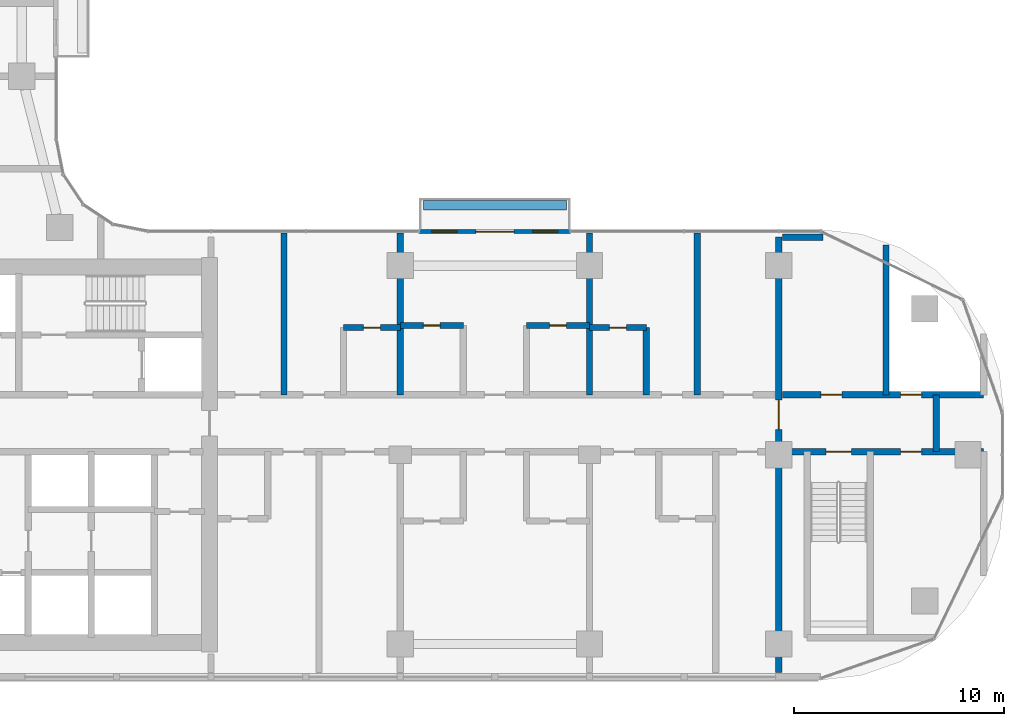
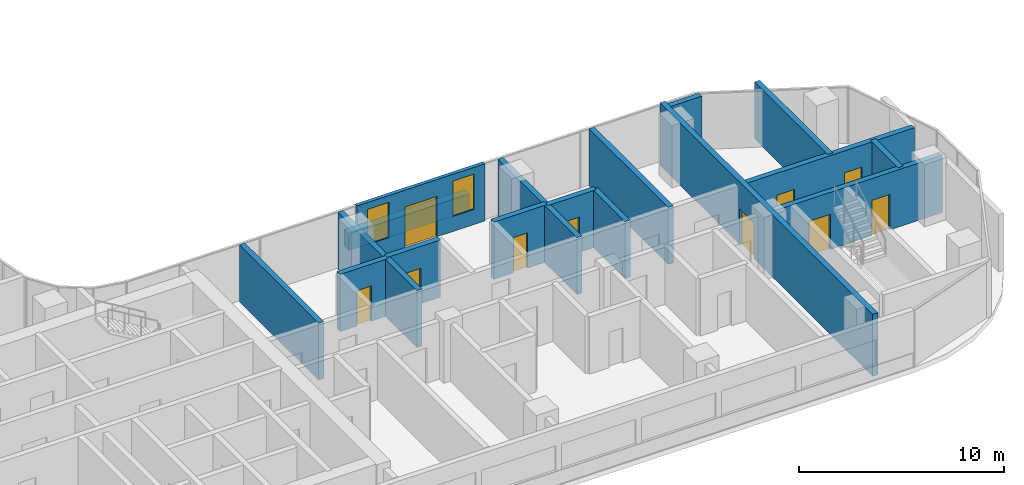
# One storey, part 12 of 23: 17 walls, 10 doors, 2 windows, 12 openings.
"""IFC4 building model written with IfcOpenShell, lengths in metres."""

from ifc_helpers import new_model, si_unit, direction, frame, frame_2d, origin, origin_2d, place, context, subcontext, project, spatial, rectangle, extrude, material, layer, layer_set, type_object, element, fill, save


model = new_model("IFC4")

# Units and contexts
model_context = context("Model", 3, precision=1e-05, world=origin(), true_north=direction((0.0, 1.0)))
body_context = subcontext(model_context, "Body", "Model", "MODEL_VIEW")
ifc_project = project(units=[si_unit("LENGTHUNIT", "METRE"), si_unit("AREAUNIT", "SQUARE_METRE"), si_unit("VOLUMEUNIT", "CUBIC_METRE"), si_unit("PLANEANGLEUNIT", "RADIAN"), si_unit("MASSUNIT", "GRAM", prefix="KILO")], contexts=[model_context])

# Site, building, storey
site_placement = place(None, origin())
site = spatial("IfcSite", under=ifc_project, at=site_placement, CompositionType="ELEMENT")
building_placement = place(site_placement, origin())
building = spatial("IfcBuilding", under=site, at=building_placement, Name="Ogive Portal Towers", CompositionType="ELEMENT")
storey_placement = place(building_placement, frame((0.0, 0.0, 127.800048828125)))
storey = spatial("IfcBuildingStorey", under=building, at=storey_placement, Name="L31", CompositionType="ELEMENT", Elevation=127.800048828125)

# Wall, openings, door, windows
ifc_material_1 = material(Name="Limestone cladding on lightweight block wall", Category="masonry")
ifc_layer_1 = layer(ifc_material_1, 0.199951171875)
ifc_layer_set_1 = layer_set([ifc_layer_1], Name="BALCONY BAY WALL 200")
wall_type_1 = type_object("IfcWallType", Name="BALCONY BAY WALL 200", PredefinedType="SOLIDWALL", material=ifc_layer_set_1)
wall_1_placement = place(storey_placement, frame((68.39990234375, 41.114990234375, 0.0), z_axis=(0.0, 0.0, 1.0), x_axis=(1.0, 0.0, 0.0)))
wall_1 = element("IfcWall", 1, at=wall_1_placement, inside=storey, type_object=wall_type_1, Name="A:L31:f13:bay0", PredefinedType="SOLIDWALL", context=body_context, shape_type="SweptSolid", body=[
    extrude(rectangle(XDim=7.2001953125, YDim=0.199951171875, at=frame_2d((3.60009765625, 0.0))), origin(), (0.0, 0.0, 1.0), 3.39990234375),
])
opening_1_placement = place(wall_1_placement, frame((2.699951171875, 0.0, 0.0)))
opening_1 = element("IfcOpeningElement", 2, at=opening_1_placement, cuts=wall_1, Name="Opening DX037", PredefinedType="OPENING", context=body_context, shape_type="SweptSolid", body=[
    extrude(rectangle(XDim=1.800048828125, YDim=2.39990234375, at=frame_2d((0.89990234375, 1.199951171875))), frame((0.0, 0.10986328125, 0.0), z_axis=(0.0, -1.0, 0.0), x_axis=(1.0, 0.0, 0.0)), (0.0, 0.0, 1.0), 0.219970703125),
])
opening_2_placement = place(wall_1_placement, frame((5.39990234375, 0.0, 0.89990234375)))
opening_2 = element("IfcOpeningElement", 3, at=opening_2_placement, cuts=wall_1, Name="Opening WN2", PredefinedType="OPENING", context=body_context, shape_type="SweptSolid", body=[
    extrude(rectangle(XDim=1.199951171875, YDim=2.10009765625, at=frame_2d((0.60009765625, 1.050048828125))), frame((0.0, 0.10986328125, 0.0), z_axis=(0.0, -1.0, 0.0), x_axis=(1.0, 0.0, 0.0)), (0.0, 0.0, 1.0), 0.219970703125),
])
opening_3_placement = place(wall_1_placement, frame((0.60009765625, 0.0, 0.89990234375)))
opening_3 = element("IfcOpeningElement", 4, at=opening_3_placement, cuts=wall_1, Name="Opening WN2", PredefinedType="OPENING", context=body_context, shape_type="SweptSolid", body=[
    extrude(rectangle(XDim=1.199951171875, YDim=2.10009765625, at=frame_2d((0.60009765625, 1.050048828125))), frame((0.0, 0.10986328125, 0.0), z_axis=(0.0, -1.0, 0.0), x_axis=(1.0, 0.0, 0.0)), (0.0, 0.0, 1.0), 0.219970703125),
])
ifc_material_2 = material(Name="Aluminium 6063 anodised", Category="aluminium")
door_type_1 = type_object("IfcDoorType", Name="BALCONY DOOR 1800x2400", OperationType="DOUBLE_DOOR_SINGLE_SWING", PredefinedType="DOOR", material=ifc_material_2)
door_1_placement = place(opening_1_placement, origin())
door_1 = element("IfcDoor", 5, at=door_1_placement, inside=storey, type_object=door_type_1, Name="A:L31:f13:bay0/o0", OperationType="SINGLE_SWING_LEFT", OverallHeight=2.39990234375, OverallWidth=1.800048828125, PredefinedType="DOOR", context=body_context, shape_type="SweptSolid", body=[
    extrude(rectangle(XDim=1.800048828125, YDim=2.39990234375, at=frame_2d((0.89990234375, 1.199951171875))), frame((0.0, 0.02490234375, 0.0), z_axis=(0.0, -1.0, 0.0), x_axis=(1.0, 0.0, 0.0)), (0.0, 0.0, 1.0), 0.050048828125),
])
fill(opening_1, door_1)
ifc_material_3 = material(Name="Glass, clear low-iron insulated glazing", Category="glass")
window_type = type_object("IfcWindowType", Name="WINDOW BALCONY BAY 1200x2100", PartitioningType="SINGLE_PANEL", PredefinedType="WINDOW", material=ifc_material_3)
window_1_placement = place(opening_2_placement, origin())
window_1 = element("IfcWindow", 6, at=window_1_placement, inside=storey, type_object=window_type, Name="A:L31:f13:bay0/o1", OverallHeight=2.10009765625, OverallWidth=1.199951171875, PartitioningType="SINGLE_PANEL", PredefinedType="WINDOW", context=body_context, shape_type="SweptSolid", body=[
    extrude(rectangle(XDim=1.199951171875, YDim=2.10009765625, at=frame_2d((0.60009765625, 1.050048828125))), frame((0.0, 0.030029296875, 0.0), z_axis=(0.0, -1.0, 0.0), x_axis=(1.0, 0.0, 0.0)), (0.0, 0.0, 1.0), 0.06005859375),
])
fill(opening_2, window_1)
window_2_placement = place(opening_3_placement, origin())
window_2 = element("IfcWindow", 7, at=window_2_placement, inside=storey, type_object=window_type, Name="A:L31:f13:bay0/o2", OverallHeight=2.10009765625, OverallWidth=1.199951171875, PartitioningType="SINGLE_PANEL", PredefinedType="WINDOW", context=body_context, shape_type="SweptSolid", body=[
    extrude(rectangle(XDim=1.199951171875, YDim=2.10009765625, at=frame_2d((0.60009765625, 1.050048828125))), frame((0.0, 0.030029296875, 0.0), z_axis=(0.0, -1.0, 0.0), x_axis=(1.0, 0.0, 0.0)), (0.0, 0.0, 1.0), 0.06005859375),
])
fill(opening_3, window_2)

# Wall
ifc_material_4 = material(Name="Concrete C40/50", Category="concrete")
ifc_layer_2 = layer(ifc_material_4, 0.449951171875)
ifc_layer_set_2 = layer_set([ifc_layer_2], Name="PLANTER WALL 450")
wall_type_2 = type_object("IfcWallType", Name="PLANTER WALL 450", PredefinedType="SOLIDWALL", material=ifc_layer_set_2)
wall_2_placement = place(storey_placement, frame((72.0, 42.3701171875, 0.0), z_axis=(0.0, 0.0, 1.0), x_axis=(1.0, 0.0, 0.0)))
element("IfcWall", 8, at=wall_2_placement, inside=storey, type_object=wall_type_2, Name="Planter T2", PredefinedType="SOLIDWALL", context=body_context, shape_type="SweptSolid", body=[
    extrude(rectangle(XDim=6.800048828125, YDim=0.449951171875, at=origin_2d()), origin(), (0.0, 0.0, 1.0), 1.0),
])

# Wall, opening, door
ifc_material_5 = material(Name="Concrete C60/75", Category="concrete")
ifc_layer_3 = layer(ifc_material_5, 0.300048828125)
ifc_layer_set_3 = layer_set([ifc_layer_3], Name="REVEAL WALL 300 C60")
wall_type_3 = type_object("IfcWallType", Name="REVEAL WALL 300 C60", PredefinedType="SHEAR", material=ifc_layer_set_3)
wall_3_placement = place(storey_placement, frame((85.5, 20.135009765625, 0.0), z_axis=(0.0, 0.0, 1.0), x_axis=(0.0, 1.0, 0.0)))
wall_3 = element("IfcWall", 9, at=wall_3_placement, inside=storey, type_object=wall_type_3, Name="Portal reveal wall L31", PredefinedType="SHEAR", context=body_context, shape_type="SweptSolid", body=[
    extrude(rectangle(XDim=20.72998046875, YDim=0.300048828125, at=frame_2d((10.364990234375, 0.0))), origin(), (0.0, 0.0, 1.0), 3.699951171875),
])
opening_4_placement = place(wall_3_placement, frame((11.56494140625, 0.0, 0.0)))
opening_4 = element("IfcOpeningElement", 10, at=opening_4_placement, cuts=wall_3, Name="Opening D11-066", PredefinedType="OPENING", context=body_context, shape_type="SweptSolid", body=[
    extrude(rectangle(XDim=1.39990234375, YDim=2.10009765625, at=frame_2d((0.699951171875, 1.050048828125))), frame((0.0, 0.16015625, 0.0), z_axis=(0.0, -1.0, 0.0), x_axis=(1.0, 0.0, 0.0)), (0.0, 0.0, 1.0), 0.320068359375),
])
ifc_material_6 = material(Name="Steel fire door", Category="steel")
door_type_2 = type_object("IfcDoorType", Name="DT-STAIR-1400x2100-FD90S", OperationType="SINGLE_SWING_LEFT", PredefinedType="DOOR", material=ifc_material_6)
door_2_placement = place(opening_4_placement, origin())
door_2 = element("IfcDoor", 11, at=door_2_placement, inside=storey, type_object=door_type_2, Name="Door D11-066", OperationType="SINGLE_SWING_RIGHT", OverallHeight=2.10009765625, OverallWidth=1.39990234375, PredefinedType="DOOR", context=body_context, shape_type="SweptSolid", body=[
    extrude(rectangle(XDim=1.39990234375, YDim=2.10009765625, at=frame_2d((0.699951171875, 1.050048828125))), frame((0.0, 0.02490234375, 0.0), z_axis=(0.0, -1.0, 0.0), x_axis=(1.0, 0.0, 0.0)), (0.0, 0.0, 1.0), 0.050048828125),
])
fill(opening_4, door_2)

# Wall, openings, doors
ifc_material_7 = material(Name="Concrete C50/60", Category="concrete")
ifc_layer_4 = layer(ifc_material_7, 0.300048828125)
ifc_layer_set_4 = layer_set([ifc_layer_4], Name="STAIR WALL 300 C50")
wall_type_4 = type_object("IfcWallType", Name="STAIR WALL 300 C50", PredefinedType="SHEAR", material=ifc_layer_set_4)
wall_4_placement = place(storey_placement, frame((85.669921875, 30.64990234375, 0.0), z_axis=(0.0, 0.0, 1.0), x_axis=(1.0, 0.0, 0.0)))
wall_4 = element("IfcWall", 12, at=wall_4_placement, inside=storey, type_object=wall_type_4, Name="Stair wall ST-A4 L31", PredefinedType="SHEAR", context=body_context, shape_type="SweptSolid", body=[
    extrude(rectangle(XDim=9.580078125, YDim=0.300048828125, at=frame_2d((4.7900390625, 0.0))), origin(), (0.0, 0.0, 1.0), 3.39990234375),
])
opening_5_placement = place(wall_4_placement, frame((2.080078125, 0.0, 0.0)))
opening_5 = element("IfcOpeningElement", 13, at=opening_5_placement, cuts=wall_4, Name="Opening D11-061", PredefinedType="OPENING", context=body_context, shape_type="SweptSolid", body=[
    extrude(rectangle(XDim=1.199951171875, YDim=2.10009765625, at=frame_2d((0.60009765625, 1.050048828125))), frame((0.0, 0.16015625, 0.0), z_axis=(0.0, -1.0, 0.0), x_axis=(1.0, 0.0, 0.0)), (0.0, 0.0, 1.0), 0.320068359375),
])
opening_6_placement = place(wall_4_placement, frame((5.6298828125, 0.0, 0.0)))
opening_6 = element("IfcOpeningElement", 14, at=opening_6_placement, cuts=wall_4, Name="Opening D11-064", PredefinedType="OPENING", context=body_context, shape_type="SweptSolid", body=[
    extrude(rectangle(XDim=1.0, YDim=2.10009765625, at=frame_2d((0.5, 1.050048828125))), frame((0.0, 0.16015625, 0.0), z_axis=(0.0, -1.0, 0.0), x_axis=(1.0, 0.0, 0.0)), (0.0, 0.0, 1.0), 0.320068359375),
])
door_type_3 = type_object("IfcDoorType", Name="DT-SERVICE-1000x2100-FD90S", OperationType="SINGLE_SWING_LEFT", PredefinedType="DOOR", material=ifc_material_6)
door_3_placement = place(opening_6_placement, origin())
door_3 = element("IfcDoor", 15, at=door_3_placement, inside=storey, type_object=door_type_3, Name="Door D11-064", OperationType="SINGLE_SWING_LEFT", OverallHeight=2.10009765625, OverallWidth=1.0, PredefinedType="DOOR", context=body_context, shape_type="SweptSolid", body=[
    extrude(rectangle(XDim=1.0, YDim=2.10009765625, at=frame_2d((0.5, 1.050048828125))), frame((0.0, 0.02490234375, 0.0), z_axis=(0.0, -1.0, 0.0), x_axis=(1.0, 0.0, 0.0)), (0.0, 0.0, 1.0), 0.050048828125),
])
fill(opening_6, door_3)
door_type_4 = type_object("IfcDoorType", Name="DT-STAIR-1200x2100-FD90S", OperationType="SINGLE_SWING_LEFT", PredefinedType="DOOR", material=ifc_material_6)
door_4_placement = place(opening_5_placement, origin())
door_4 = element("IfcDoor", 16, at=door_4_placement, inside=storey, type_object=door_type_4, Name="Door D11-061", OperationType="SINGLE_SWING_LEFT", OverallHeight=2.10009765625, OverallWidth=1.199951171875, PredefinedType="DOOR", context=body_context, shape_type="SweptSolid", body=[
    extrude(rectangle(XDim=1.199951171875, YDim=2.10009765625, at=frame_2d((0.60009765625, 1.050048828125))), frame((0.0, 0.02490234375, 0.0), z_axis=(0.0, -1.0, 0.0), x_axis=(1.0, 0.0, 0.0)), (0.0, 0.0, 1.0), 0.050048828125),
])
fill(opening_5, door_4)

ifc_material_8 = material(Name="Gypsum board partition on steel studs", Category="steel")
ifc_layer_5 = layer(ifc_material_8, 0.300048828125)
ifc_layer_set_5 = layer_set([ifc_layer_5], Name="WT-PART-300-EI 120")
wall_type_5 = type_object("IfcWallType", Name="WT-PART-300-EI 120", PredefinedType="PARTITIONING", material=ifc_layer_set_5)
wall_5_placement = place(storey_placement, frame((85.669921875, 33.35009765625, 0.0), z_axis=(0.0, 0.0, 1.0), x_axis=(1.0, 0.0, 0.0)))
wall_5 = element("IfcWall", 17, at=wall_5_placement, inside=storey, type_object=wall_type_5, Name="Wall L31:w009", PredefinedType="PARTITIONING", context=body_context, shape_type="SweptSolid", body=[
    extrude(rectangle(XDim=9.580078125, YDim=0.300048828125, at=frame_2d((4.7900390625, 0.0))), origin(), (0.0, 0.0, 1.0), 3.39990234375),
])
opening_7_placement = place(wall_5_placement, frame((1.830078125, 0.0, 0.0)))
opening_7 = element("IfcOpeningElement", 18, at=opening_7_placement, cuts=wall_5, Name="Opening D11-062", PredefinedType="OPENING", context=body_context, shape_type="SweptSolid", body=[
    extrude(rectangle(XDim=1.0, YDim=2.10009765625, at=frame_2d((0.5, 1.050048828125))), frame((0.0, 0.16015625, 0.0), z_axis=(0.0, -1.0, 0.0), x_axis=(1.0, 0.0, 0.0)), (0.0, 0.0, 1.0), 0.320068359375),
])
opening_8_placement = place(wall_5_placement, frame((5.6298828125, 0.0, 0.0)))
opening_8 = element("IfcOpeningElement", 19, at=opening_8_placement, cuts=wall_5, Name="Opening D11-063", PredefinedType="OPENING", context=body_context, shape_type="SweptSolid", body=[
    extrude(rectangle(XDim=1.0, YDim=2.10009765625, at=frame_2d((0.5, 1.050048828125))), frame((0.0, 0.16015625, 0.0), z_axis=(0.0, -1.0, 0.0), x_axis=(1.0, 0.0, 0.0)), (0.0, 0.0, 1.0), 0.320068359375),
])
door_5_placement = place(opening_7_placement, origin())
door_5 = element("IfcDoor", 20, at=door_5_placement, inside=storey, type_object=door_type_3, Name="Door D11-062", OperationType="SINGLE_SWING_LEFT", OverallHeight=2.10009765625, OverallWidth=1.0, PredefinedType="DOOR", context=body_context, shape_type="SweptSolid", body=[
    extrude(rectangle(XDim=1.0, YDim=2.10009765625, at=frame_2d((0.5, 1.050048828125))), frame((0.0, 0.02490234375, 0.0), z_axis=(0.0, -1.0, 0.0), x_axis=(1.0, 0.0, 0.0)), (0.0, 0.0, 1.0), 0.050048828125),
])
fill(opening_7, door_5)
door_6_placement = place(opening_8_placement, origin())
door_6 = element("IfcDoor", 21, at=door_6_placement, inside=storey, type_object=door_type_3, Name="Riser access door D11-063", OperationType="SINGLE_SWING_RIGHT", OverallHeight=2.10009765625, OverallWidth=1.0, PredefinedType="DOOR", context=body_context, shape_type="SweptSolid", body=[
    extrude(rectangle(XDim=1.0, YDim=2.10009765625, at=frame_2d((0.5, 1.050048828125))), frame((0.0, 0.02490234375, 0.0), z_axis=(0.0, -1.0, 0.0), x_axis=(1.0, 0.0, 0.0)), (0.0, 0.0, 1.0), 0.050048828125),
])
fill(opening_8, door_6)

# Wall
wall_6_placement = place(storey_placement, frame((93.0, 30.64990234375, 0.0), z_axis=(0.0, 0.0, 1.0), x_axis=(0.0, 1.0, 0.0)))
element("IfcWall", 22, at=wall_6_placement, inside=storey, type_object=wall_type_5, Name="Wall L31:w065", PredefinedType="PARTITIONING", context=body_context, shape_type="SweptSolid", body=[
    extrude(rectangle(XDim=2.7001953125, YDim=0.300048828125, at=frame_2d((1.35009765625, 0.0))), origin(), (0.0, 0.0, 1.0), 3.39990234375),
])

# Wall, opening, door
ifc_layer_6 = layer(ifc_material_8, 0.300048828125)
ifc_layer_set_6 = layer_set([ifc_layer_6], Name="WT-PART-300-EI 60")
wall_type_6 = type_object("IfcWallType", Name="WT-PART-300-EI 60", PredefinedType="PARTITIONING", material=ifc_layer_set_6)
wall_7_placement = place(storey_placement, frame((64.800048828125, 36.550048828125, 0.0), z_axis=(0.0, 0.0, 1.0), x_axis=(1.0, 0.0, 0.0)))
wall_7 = element("IfcWall", 23, at=wall_7_placement, inside=storey, type_object=wall_type_6, Name="Wall L31:w010", PredefinedType="PARTITIONING", context=body_context, shape_type="SweptSolid", body=[
    extrude(rectangle(XDim=2.699951171875, YDim=0.300048828125, at=frame_2d((1.35009765625, 0.0))), origin(), (0.0, 0.0, 1.0), 3.39990234375),
])
opening_9_placement = place(wall_7_placement, frame((0.949951171875, 0.0, 0.0)))
opening_9 = element("IfcOpeningElement", 24, at=opening_9_placement, cuts=wall_7, Name="Opening D11-028", PredefinedType="OPENING", context=body_context, shape_type="SweptSolid", body=[
    extrude(rectangle(XDim=0.800048828125, YDim=2.10009765625, at=frame_2d((0.39990234375, 1.050048828125))), frame((0.0, 0.16015625, 0.0), z_axis=(0.0, -1.0, 0.0), x_axis=(1.0, 0.0, 0.0)), (0.0, 0.0, 1.0), 0.320068359375),
])
door_type_5 = type_object("IfcDoorType", Name="DT-BATH-800x2100-FD60S", OperationType="SINGLE_SWING_LEFT", PredefinedType="DOOR", material=ifc_material_6)
door_7_placement = place(opening_9_placement, origin())
door_7 = element("IfcDoor", 25, at=door_7_placement, inside=storey, type_object=door_type_5, Name="Door D11-028", OperationType="SINGLE_SWING_RIGHT", OverallHeight=2.10009765625, OverallWidth=0.800048828125, PredefinedType="DOOR", context=body_context, shape_type="SweptSolid", body=[
    extrude(rectangle(XDim=0.800048828125, YDim=2.10009765625, at=frame_2d((0.39990234375, 1.050048828125))), frame((0.0, 0.02490234375, 0.0), z_axis=(0.0, -1.0, 0.0), x_axis=(1.0, 0.0, 0.0)), (0.0, 0.0, 1.0), 0.050048828125),
])
fill(opening_9, door_7)

wall_8_placement = place(storey_placement, frame((76.5, 36.550048828125, 0.0), z_axis=(0.0, 0.0, 1.0), x_axis=(1.0, 0.0, 0.0)))
wall_8 = element("IfcWall", 26, at=wall_8_placement, inside=storey, type_object=wall_type_6, Name="Wall L31:w011", PredefinedType="PARTITIONING", context=body_context, shape_type="SweptSolid", body=[
    extrude(rectangle(XDim=2.699951171875, YDim=0.300048828125, at=frame_2d((1.35009765625, 0.0))), origin(), (0.0, 0.0, 1.0), 3.39990234375),
])
opening_10_placement = place(wall_8_placement, frame((0.949951171875, 0.0, 0.0)))
opening_10 = element("IfcOpeningElement", 27, at=opening_10_placement, cuts=wall_8, Name="Opening D11-039", PredefinedType="OPENING", context=body_context, shape_type="SweptSolid", body=[
    extrude(rectangle(XDim=0.800048828125, YDim=2.10009765625, at=frame_2d((0.39990234375, 1.050048828125))), frame((0.0, 0.16015625, 0.0), z_axis=(0.0, -1.0, 0.0), x_axis=(1.0, 0.0, 0.0)), (0.0, 0.0, 1.0), 0.320068359375),
])
door_8_placement = place(opening_10_placement, origin())
door_8 = element("IfcDoor", 28, at=door_8_placement, inside=storey, type_object=door_type_5, Name="Door D11-039", OperationType="SINGLE_SWING_LEFT", OverallHeight=2.10009765625, OverallWidth=0.800048828125, PredefinedType="DOOR", context=body_context, shape_type="SweptSolid", body=[
    extrude(rectangle(XDim=0.800048828125, YDim=2.10009765625, at=frame_2d((0.39990234375, 1.050048828125))), frame((0.0, 0.02490234375, 0.0), z_axis=(0.0, -1.0, 0.0), x_axis=(1.0, 0.0, 0.0)), (0.0, 0.0, 1.0), 0.050048828125),
])
fill(opening_10, door_8)

wall_9_placement = place(storey_placement, frame((67.5, 36.64990234375, 0.0), z_axis=(0.0, 0.0, 1.0), x_axis=(1.0, 0.0, 0.0)))
wall_9 = element("IfcWall", 29, at=wall_9_placement, inside=storey, type_object=wall_type_6, Name="Wall L31:w012", PredefinedType="PARTITIONING", context=body_context, shape_type="SweptSolid", body=[
    extrude(rectangle(XDim=3.0, YDim=0.300048828125, at=frame_2d((1.5, 0.0))), origin(), (0.0, 0.0, 1.0), 3.39990234375),
])
opening_11_placement = place(wall_9_placement, frame((1.10009765625, 0.0, 0.0)))
opening_11 = element("IfcOpeningElement", 30, at=opening_11_placement, cuts=wall_9, Name="Opening D11-033", PredefinedType="OPENING", context=body_context, shape_type="SweptSolid", body=[
    extrude(rectangle(XDim=0.800048828125, YDim=2.10009765625, at=frame_2d((0.39990234375, 1.050048828125))), frame((0.0, 0.16015625, 0.0), z_axis=(0.0, -1.0, 0.0), x_axis=(1.0, 0.0, 0.0)), (0.0, 0.0, 1.0), 0.320068359375),
])
door_9_placement = place(opening_11_placement, origin())
door_9 = element("IfcDoor", 31, at=door_9_placement, inside=storey, type_object=door_type_5, Name="Door D11-033", OperationType="SINGLE_SWING_LEFT", OverallHeight=2.10009765625, OverallWidth=0.800048828125, PredefinedType="DOOR", context=body_context, shape_type="SweptSolid", body=[
    extrude(rectangle(XDim=0.800048828125, YDim=2.10009765625, at=frame_2d((0.39990234375, 1.050048828125))), frame((0.0, 0.02490234375, 0.0), z_axis=(0.0, -1.0, 0.0), x_axis=(1.0, 0.0, 0.0)), (0.0, 0.0, 1.0), 0.050048828125),
])
fill(opening_11, door_9)

wall_10_placement = place(storey_placement, frame((73.5, 36.64990234375, 0.0), z_axis=(0.0, 0.0, 1.0), x_axis=(1.0, 0.0, 0.0)))
wall_10 = element("IfcWall", 32, at=wall_10_placement, inside=storey, type_object=wall_type_6, Name="Wall L31:w013", PredefinedType="PARTITIONING", context=body_context, shape_type="SweptSolid", body=[
    extrude(rectangle(XDim=3.0, YDim=0.300048828125, at=frame_2d((1.5, 0.0))), origin(), (0.0, 0.0, 1.0), 3.39990234375),
])
opening_12_placement = place(wall_10_placement, frame((1.10009765625, 0.0, 0.0)))
opening_12 = element("IfcOpeningElement", 33, at=opening_12_placement, cuts=wall_10, Name="Opening D11-034", PredefinedType="OPENING", context=body_context, shape_type="SweptSolid", body=[
    extrude(rectangle(XDim=0.800048828125, YDim=2.10009765625, at=frame_2d((0.39990234375, 1.050048828125))), frame((0.0, 0.16015625, 0.0), z_axis=(0.0, -1.0, 0.0), x_axis=(1.0, 0.0, 0.0)), (0.0, 0.0, 1.0), 0.320068359375),
])
door_10_placement = place(opening_12_placement, origin())
door_10 = element("IfcDoor", 34, at=door_10_placement, inside=storey, type_object=door_type_5, Name="Door D11-034", OperationType="SINGLE_SWING_RIGHT", OverallHeight=2.10009765625, OverallWidth=0.800048828125, PredefinedType="DOOR", context=body_context, shape_type="SweptSolid", body=[
    extrude(rectangle(XDim=0.800048828125, YDim=2.10009765625, at=frame_2d((0.39990234375, 1.050048828125))), frame((0.0, 0.02490234375, 0.0), z_axis=(0.0, -1.0, 0.0), x_axis=(1.0, 0.0, 0.0)), (0.0, 0.0, 1.0), 0.050048828125),
])
fill(opening_12, door_10)

# Walls
wall_11_placement = place(storey_placement, frame((85.669921875, 40.85009765625, 0.0), z_axis=(0.0, 0.0, 1.0), x_axis=(1.0, 0.0, 0.0)))
element("IfcWall", 35, at=wall_11_placement, inside=storey, type_object=wall_type_6, Name="Wall L31:w015", PredefinedType="PARTITIONING", context=body_context, shape_type="SweptSolid", body=[
    extrude(rectangle(XDim=1.943115234375, YDim=0.300048828125, at=frame_2d((0.9716796875, 0.0))), origin(), (0.0, 0.0, 1.0), 3.39990234375),
])
for number, where, z_axis, x_axis, name in (
    (36, (61.969970703125, 33.35009765625, 0.0), (0.0, 0.0, 1.0), (0.0, 1.0, 0.0), "Wall L31:w047"),
    (37, (67.5, 33.35009765625, 0.0), (0.0, 0.0, 1.0), (0.0, 1.0, 0.0), "Wall L31:w051"),
    (38, (76.5, 33.35009765625, 0.0), (0.0, 0.0, 1.0), (0.0, 1.0, 0.0), "Wall L31:w057"),
):
    element("IfcWall", number, at=place(storey_placement, frame(where, z_axis=z_axis, x_axis=x_axis)), inside=storey, type_object=wall_type_6, Name=name, PredefinedType="PARTITIONING", context=body_context, shape_type="SweptSolid", body=[
        extrude(rectangle(XDim=7.69482421875, YDim=0.300048828125, at=frame_2d((3.847412109375, 0.0))), origin(), (0.0, 0.0, 1.0), 3.39990234375),
    ])
wall_12_placement = place(storey_placement, frame((79.199951171875, 33.35009765625, 0.0), z_axis=(0.0, 0.0, 1.0), x_axis=(0.0, 1.0, 0.0)))
element("IfcWall", 39, at=wall_12_placement, inside=storey, type_object=wall_type_6, Name="Wall L31:w058", PredefinedType="PARTITIONING", context=body_context, shape_type="SweptSolid", body=[
    extrude(rectangle(XDim=3.199951171875, YDim=0.300048828125, at=frame_2d((1.60009765625, 0.0))), origin(), (0.0, 0.0, 1.0), 3.39990234375),
])
wall_13_placement = place(storey_placement, frame((81.6298828125, 33.35009765625, 0.0), z_axis=(0.0, 0.0, 1.0), x_axis=(0.0, 1.0, 0.0)))
element("IfcWall", 40, at=wall_13_placement, inside=storey, type_object=wall_type_6, Name="Wall L31:w060", PredefinedType="PARTITIONING", context=body_context, shape_type="SweptSolid", body=[
    extrude(rectangle(XDim=7.69482421875, YDim=0.300048828125, at=frame_2d((3.847412109375, 0.0))), origin(), (0.0, 0.0, 1.0), 3.39990234375),
])
wall_14_placement = place(storey_placement, frame((90.60009765625, 33.35009765625, 0.0), z_axis=(0.0, 0.0, 1.0), x_axis=(0.0, 1.0, 0.0)))
element("IfcWall", 41, at=wall_14_placement, inside=storey, type_object=wall_type_6, Name="Wall L31:w064", PredefinedType="PARTITIONING", context=body_context, shape_type="SweptSolid", body=[
    extrude(rectangle(XDim=7.1240234375, YDim=0.300048828125, at=frame_2d((3.56201171875, 0.0))), origin(), (0.0, 0.0, 1.0), 3.39990234375),
])

save(model, "model.ifc")
